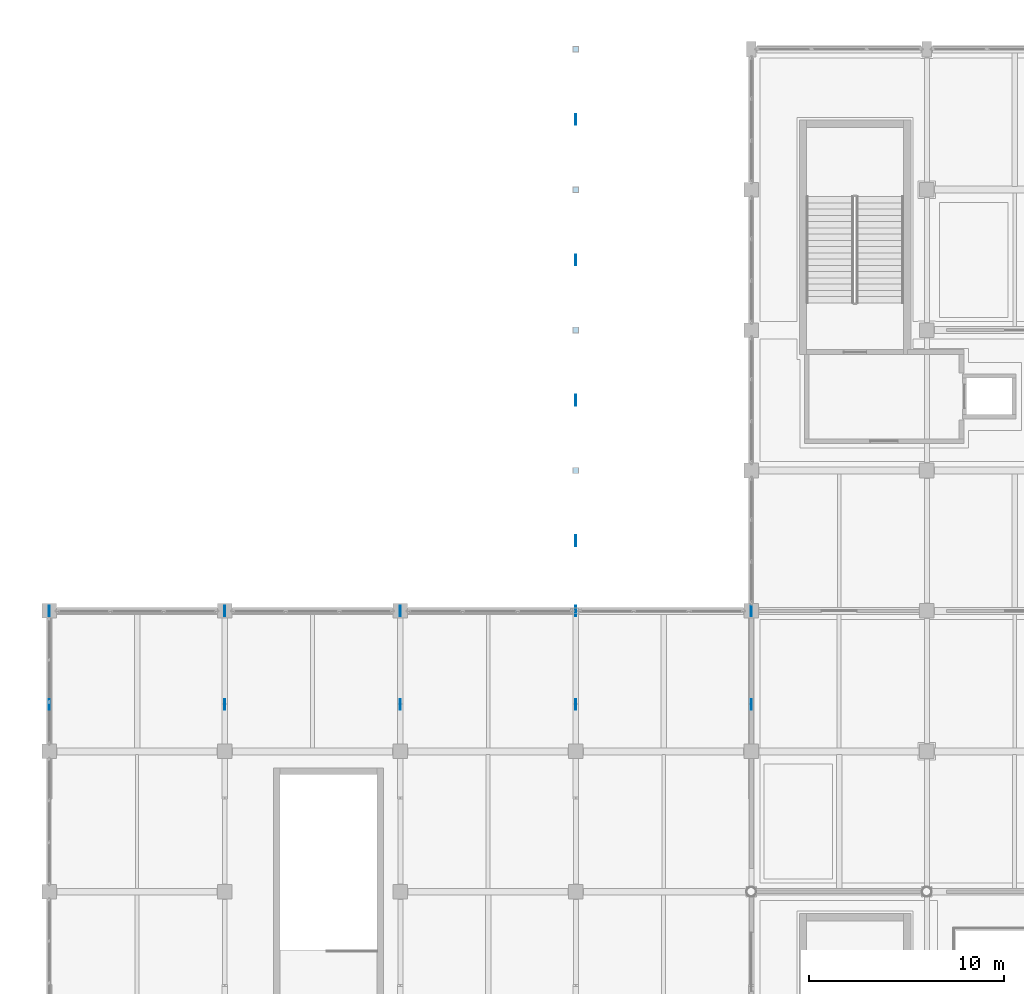
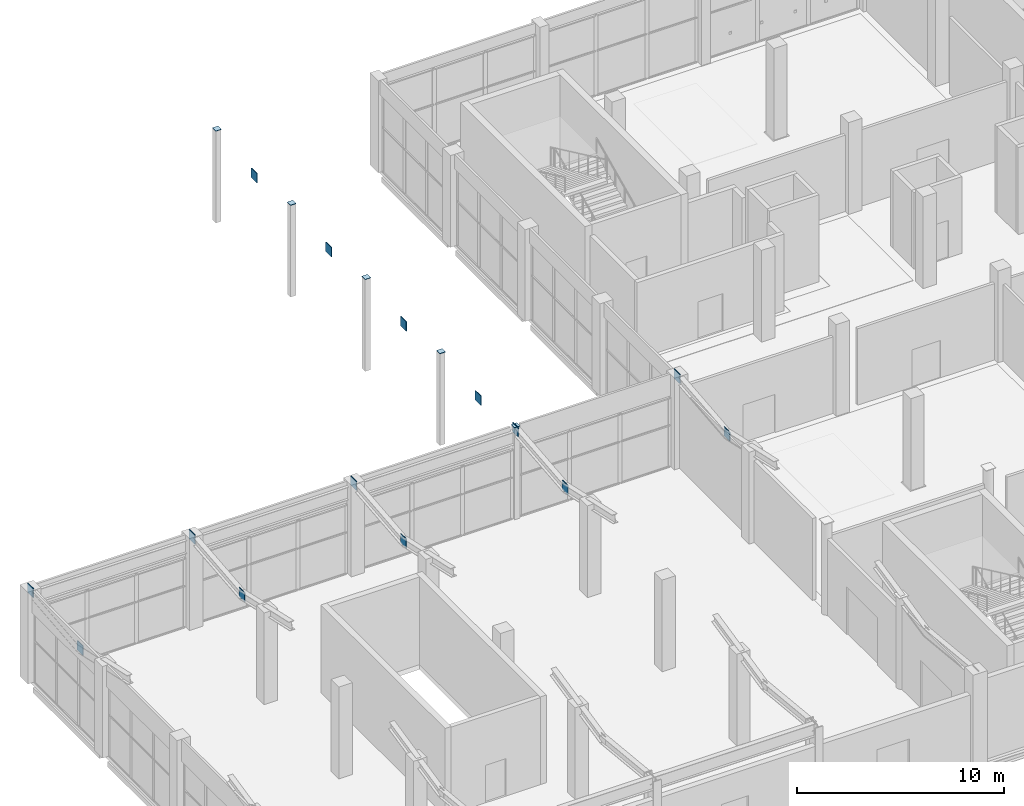
# One storey, part 129 of 189: 19 plates.
"""IFC4 building model written with IfcOpenShell, lengths in metres."""

from ifc_helpers import new_model, si_unit, direction, frame, origin, origin_2d, place, context, subcontext, project, spatial, rectangle, extrude, material, layer, layer_set, type_object, element, save


model = new_model("IFC4")

# Units and contexts
model_context = context("Model", 3, precision=1e-05, world=origin(), true_north=direction((0.0, 1.0)))
body_context = subcontext(model_context, "Body", "Model", "MODEL_VIEW")
ifc_project = project(units=[si_unit("LENGTHUNIT", "METRE"), si_unit("AREAUNIT", "SQUARE_METRE"), si_unit("VOLUMEUNIT", "CUBIC_METRE"), si_unit("PLANEANGLEUNIT", "RADIAN"), si_unit("MASSUNIT", "GRAM", prefix="KILO")], contexts=[model_context])

# Site, building, storey
site_placement = place(None, origin())
site = spatial("IfcSite", under=ifc_project, at=site_placement, CompositionType="ELEMENT")
building_placement = place(site_placement, origin())
building = spatial("IfcBuilding", under=site, at=building_placement, Name="Celestram Park Convention Centre", CompositionType="ELEMENT")
storey_placement = place(building_placement, frame((0.0, 0.0, 5.39990234375)))
storey = spatial("IfcBuildingStorey", under=building, at=storey_placement, Name="L01", CompositionType="ELEMENT", Elevation=5.39990234375)

# Plates
ifc_material = material(Name="Steel ASTM A572 Grade 50", Category="steel")
ifc_layer_1 = layer(ifc_material, 0.02490234375)
ifc_layer_set_1 = layer_set([ifc_layer_1], Name="Steel ASTM A572 Grade 50")
plate_type_1 = type_object("IfcPlateType", Name="STR-PLT-EC300", PredefinedType="USERDEFINED", material=ifc_layer_set_1)
for number, where, z_axis, x_axis, name in (
    (1, (27.0, 136.800048828125, 5.399658203125), (0.0, 0.0, 1.0), (1.0, 0.0, 0.0), "HSS column end closure cap plate EC-L01-001"),
    (2, (27.0, 144.0, 5.399658203125), (0.0, 0.0, 1.0), (1.0, 0.0, 0.0), "HSS column end closure cap plate EC-L01-002"),
    (3, (27.0, 151.199951171875, 5.399658203125), (0.0, 0.0, 1.0), (1.0, 0.0, 0.0), "HSS column end closure cap plate EC-L01-003"),
    (4, (27.0, 158.39990234375, 5.399658203125), (0.0, 0.0, 1.0), (1.0, 0.0, 0.0), "HSS column end closure cap plate EC-L01-004"),
    (5, (27.0, 165.60009765625, 5.399658203125), (0.0, 0.0, 1.0), (1.0, 0.0, 0.0), "HSS column end closure cap plate EC-L01-005"),
):
    element("IfcPlate", number, at=place(storey_placement, frame(where, z_axis=z_axis, x_axis=x_axis)), inside=storey, type_object=plate_type_1, Name=name, ObjectType="GUSSET_PLATE", PredefinedType="USERDEFINED", context=body_context, shape_type="SweptSolid", body=[
        extrude(rectangle(XDim=0.320068359375, YDim=0.320068359375, at=origin_2d()), origin(), (0.0, 0.0, 1.0), 0.02490234375),
    ])
ifc_layer_2 = layer(ifc_material, 0.0400390625)
ifc_layer_set_2 = layer_set([ifc_layer_2], Name="Steel ASTM A572 Grade 50")
plate_type_2 = type_object("IfcPlateType", Name="STR-PLT-GP40", PredefinedType="USERDEFINED", material=ifc_layer_set_2)
for number, where, z_axis, x_axis, name in (
    (6, (27.0, 140.39990234375, 4.5751953125), (0.0, 0.0, 1.0), (0.0, 1.0, 0.0), "Canopy V-strut apex gusset plate GP-L01-001"),
    (7, (27.0, 147.60009765625, 4.5751953125), (0.0, 0.0, 1.0), (0.0, 1.0, 0.0), "Canopy V-strut apex gusset plate GP-L01-002"),
    (8, (27.0, 154.800048828125, 4.5751953125), (0.0, 0.0, 1.0), (0.0, 1.0, 0.0), "Canopy V-strut apex gusset plate GP-L01-003"),
    (9, (27.0, 162.0, 4.5751953125), (0.0, 0.0, 1.0), (0.0, 1.0, 0.0), "Canopy V-strut apex gusset plate GP-L01-004"),
    (10, (0.0, 132.0, 4.40576171875), (0.0, 0.0, 1.0), (0.0, 1.0, 0.0), "WPV truss node gusset plate"),
    (11, (0.0, 136.800048828125, 4.88916015625), (0.0, 0.0, 1.0), (0.0, 1.0, 0.0), "WPV truss node gusset plate"),
    (12, (9.0, 132.0, 4.40576171875), (0.0, 0.0, 1.0), (0.0, 1.0, 0.0), "WPV truss node gusset plate"),
    (13, (9.0, 136.800048828125, 4.88916015625), (0.0, 0.0, 1.0), (0.0, 1.0, 0.0), "WPV truss node gusset plate"),
    (14, (18.0, 132.0, 4.40576171875), (0.0, 0.0, 1.0), (0.0, 1.0, 0.0), "WPV truss node gusset plate"),
    (15, (18.0, 136.800048828125, 4.88916015625), (0.0, 0.0, 1.0), (0.0, 1.0, 0.0), "WPV truss node gusset plate"),
    (16, (27.0, 132.0, 4.40576171875), (0.0, 0.0, 1.0), (0.0, 1.0, 0.0), "WPV truss node gusset plate"),
    (17, (27.0, 136.800048828125, 4.88916015625), (0.0, 0.0, 1.0), (0.0, 1.0, 0.0), "WPV truss node gusset plate"),
    (18, (36.0, 132.0, 4.40576171875), (0.0, 0.0, 1.0), (0.0, 1.0, 0.0), "WPV truss node gusset plate"),
    (19, (36.0, 136.800048828125, 4.88916015625), (0.0, 0.0, 1.0), (0.0, 1.0, 0.0), "WPV truss node gusset plate"),
):
    element("IfcPlate", number, at=place(storey_placement, frame(where, z_axis=z_axis, x_axis=x_axis)), inside=storey, type_object=plate_type_2, Name=name, ObjectType="GUSSET_PLATE", PredefinedType="USERDEFINED", context=body_context, shape_type="SweptSolid", body=[
        extrude(rectangle(XDim=0.550048828125, YDim=0.0400390625, at=origin_2d()), origin(), (0.0, 0.0, 1.0), 0.550048828125),
    ])

save(model, "model.ifc")
